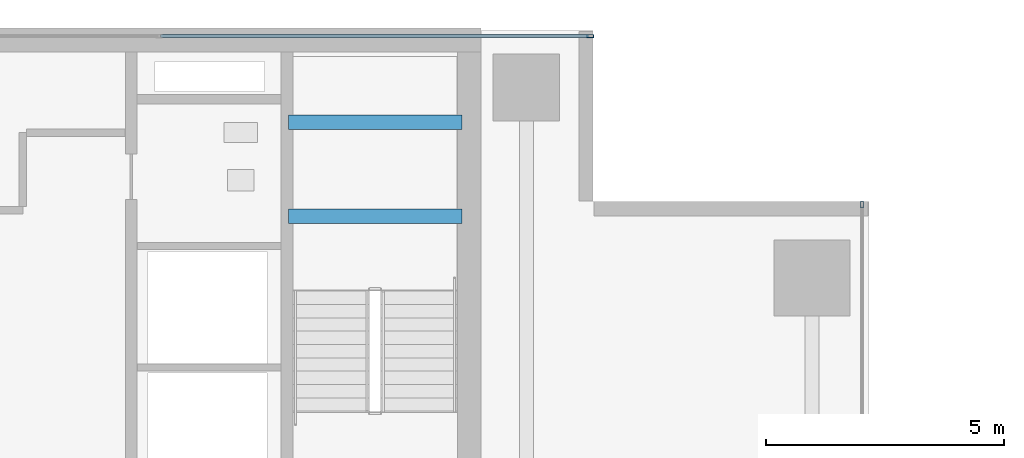
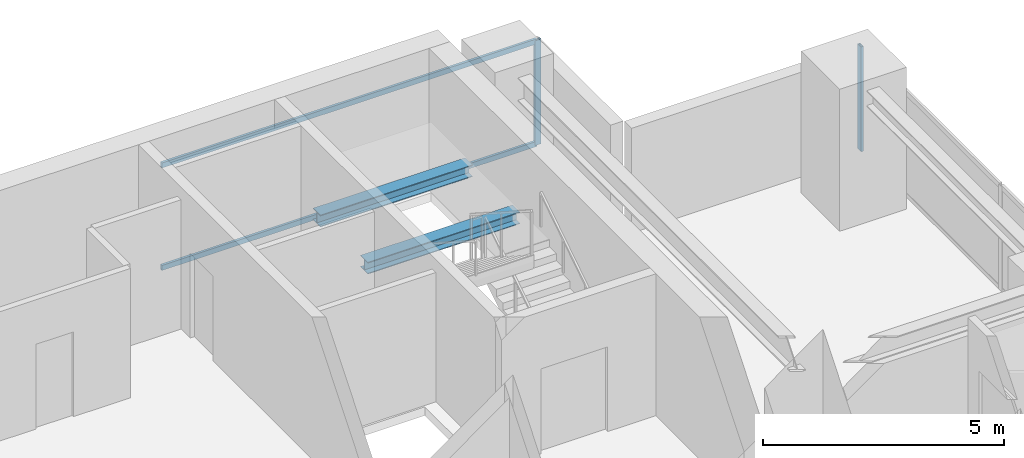
# One storey, part 24 of 32: 4 members, 2 beams, 2 elements without a shape of their own.
"""IFC4 building model written with IfcOpenShell, lengths in metres."""

from ifc_helpers import new_model, si_unit, direction, frame, origin, origin_2d, place, context, subcontext, project, spatial, hollow_rectangle, i_section, extrude, source, transform, mapped, material, layer, layer_set, material_profile, profile_set, type_object, element, aggregate, save


model = new_model("IFC4")

# Units and contexts
model_context = context("Model", 3, precision=1e-05, world=origin(), true_north=direction((0.0, 1.0)))
body_context = subcontext(model_context, "Body", "Model", "MODEL_VIEW")
ifc_project = project(units=[si_unit("LENGTHUNIT", "METRE"), si_unit("AREAUNIT", "SQUARE_METRE"), si_unit("VOLUMEUNIT", "CUBIC_METRE"), si_unit("PLANEANGLEUNIT", "RADIAN"), si_unit("MASSUNIT", "GRAM", prefix="KILO")], contexts=[model_context])

# Site, building, storey
site_placement = place(None, origin())
site = spatial("IfcSite", under=ifc_project, at=site_placement, CompositionType="ELEMENT")
building_placement = place(site_placement, origin())
building = spatial("IfcBuilding", under=site, at=building_placement, Name="Sumidabori Civic Tower", CompositionType="ELEMENT")
storey_placement = place(building_placement, frame((0.0, 0.0, 225.199951171875)))
storey = spatial("IfcBuildingStorey", under=building, at=storey_placement, Name="L58", CompositionType="ELEMENT", Elevation=225.199951171875)

# Beams
ifc_material_1 = material(Name="Steel SN490", Category="steel")
ifc_material_profile_1 = material_profile(ifc_material_1, i_section(OverallWidth=0.300048828125, OverallDepth=0.300048828125, WebThickness=0.010986328125, FlangeThickness=0.01904296875, at=origin_2d()), Name="HE 300 B")
ifc_profile_set_1 = profile_set([ifc_material_profile_1], Name="Steel SN490")
beam_type = type_object("IfcBeamType", Name="BM-LDG-300", PredefinedType="BEAM", material=ifc_profile_set_1)
shared_shape_1 = source(origin(), body_context, "Body", "SweptSolid", [
    extrude(i_section(OverallWidth=0.300048828125, OverallDepth=0.300048828125, WebThickness=0.010986328125, FlangeThickness=0.01904296875, at=origin_2d()), origin(), (0.0, 0.0, 1.0), 3.64990234375),
])
for number, where, z_axis, x_axis, name in (
    (1, (11.800048828125, 20.09765625, 1.449951171875), (1.0, 0.0, 0.0), (0.0, 1.0, 0.0), "Stair ST-2 Landing Support Beam L58-1A"),
    (2, (11.800048828125, 22.069580078125, 1.449951171875), (1.0, 0.0, 0.0), (0.0, 1.0, 0.0), "Stair ST-2 Landing Trimmer Beam L58-1B"),
):
    element("IfcBeam", number, at=place(storey_placement, frame(where, z_axis=z_axis, x_axis=x_axis)), inside=storey, type_object=beam_type, Name=name, PredefinedType="BEAM", context=body_context, shape_type="MappedRepresentation", body=[
        mapped(shared_shape_1, transform((0.0, 0.0, 0.0), x_axis=(1.0, 0.0, 0.0), y_axis=(0.0, 1.0, 0.0), z_axis=(0.0, 0.0, 1.0), scale=1.0)),
    ])

# Curtain wall, members
ifc_material_2 = material(Name="Anodised Bronze Aluminium AW-6063-T6", Category="aluminium")
ifc_layer = layer(ifc_material_2, 0.179931640625, Name="Anodised Bronze Aluminium AW-6063-T6")
ifc_layer_set = layer_set([ifc_layer], Name="Anodised Bronze Aluminium AW-6063-T6")
curtain_wall_type = type_object("IfcCurtainWallType", Name="CW-SYS-5", PredefinedType="NOTDEFINED", material=ifc_layer_set)
curtain_wall_1_placement = place(storey_placement, origin())
curtain_wall_1 = element("IfcCurtainWall", 3, at=curtain_wall_1_placement, inside=storey, type_object=curtain_wall_type, Name="Curtain Wall CW:L58:R14", PredefinedType="NOTDEFINED")
ifc_material_profile_2 = material_profile(ifc_material_2, hollow_rectangle(XDim=0.06005859375, YDim=0.1298828125, WallThickness=0.0048828125, at=origin_2d()), Name="ALU TRANSOM 130x60")
ifc_profile_set_2 = profile_set([ifc_material_profile_2], Name="Anodised Bronze Aluminium AW-6063-T6")
member_type_1 = type_object("IfcMemberType", Name="CW-TRN-130", PredefinedType="USERDEFINED", material=ifc_profile_set_2)
shared_shape_2 = source(origin(), body_context, "Body", "SweptSolid", [
    extrude(hollow_rectangle(XDim=0.06005859375, YDim=0.1298828125, WallThickness=0.0048828125, at=origin_2d()), origin(), (0.0, 0.0, 1.0), 8.9951171875),
])
member_1_placement = place(storey_placement, frame((18.110107421875, 23.8798828125, 0.030029296875), z_axis=(-1.0, 0.0, 0.0), x_axis=(0.0, -1.0, 0.0)))
member_1 = element("IfcMember", 4, at=member_1_placement, type_object=member_type_1, Name="CW-5 transom 1.1", ObjectType="TRANSOM", PredefinedType="USERDEFINED", context=body_context, shape_type="MappedRepresentation", body=[
    mapped(shared_shape_2, transform((0.0, 0.0, 0.0), x_axis=(1.0, 0.0, 0.0), y_axis=(0.0, 1.0, 0.0), z_axis=(0.0, 0.0, 1.0), scale=1.0)),
])
member_2_placement = place(storey_placement, frame((18.110107421875, 23.8798828125, 2.630126953125), z_axis=(-1.0, 0.0, 0.0), x_axis=(0.0, -1.0, 0.0)))
member_2 = element("IfcMember", 5, at=member_2_placement, type_object=member_type_1, Name="CW-5 transom 1.2", ObjectType="TRANSOM", PredefinedType="USERDEFINED", context=body_context, shape_type="MappedRepresentation", body=[
    mapped(shared_shape_2, transform((0.0, 0.0, 0.0), x_axis=(1.0, 0.0, 0.0), y_axis=(0.0, 1.0, 0.0), z_axis=(0.0, 0.0, 1.0), scale=1.0)),
])

# Curtain wall, member
curtain_wall_2_placement = place(storey_placement, origin())
curtain_wall_2 = element("IfcCurtainWall", 6, at=curtain_wall_2_placement, inside=storey, type_object=curtain_wall_type, Name="Curtain Wall CW:L58:R11", PredefinedType="NOTDEFINED")
ifc_material_profile_3 = material_profile(ifc_material_2, hollow_rectangle(XDim=0.06005859375, YDim=0.139892578125, WallThickness=0.0048828125, at=origin_2d()), Name="ALU MULLION 140x60")
ifc_profile_set_3 = profile_set([ifc_material_profile_3], Name="Anodised Bronze Aluminium AW-6063-T6")
member_type_2 = type_object("IfcMemberType", Name="CW-MUL-140", PredefinedType="MULLION", material=ifc_profile_set_3)
shared_shape_3 = source(origin(), body_context, "Body", "SweptSolid", [
    extrude(hollow_rectangle(XDim=0.06005859375, YDim=0.139892578125, WallThickness=0.0048828125, at=origin_2d()), origin(), (0.0, 0.0, 1.0), 2.66015625),
])
member_3_placement = place(storey_placement, frame((23.85009765625, 20.340087890625, 0.0), z_axis=(0.0, 0.0, 1.0), x_axis=(-1.0, 0.0, 0.0)))
member_3 = element("IfcMember", 7, at=member_3_placement, type_object=member_type_2, Name="CW-5 mullion 3", PredefinedType="MULLION", context=body_context, shape_type="MappedRepresentation", body=[
    mapped(shared_shape_3, transform((0.0, 0.0, 0.0), x_axis=(1.0, 0.0, 0.0), y_axis=(0.0, 1.0, 0.0), z_axis=(0.0, 0.0, 1.0), scale=1.0)),
])
aggregate(curtain_wall_2, [member_3])

# Member
member_4_placement = place(storey_placement, frame((18.139892578125, 23.8798828125, 0.0), z_axis=(0.0, 0.0, 1.0), x_axis=(0.0, -1.0, 0.0)))
member_4 = element("IfcMember", 8, at=member_4_placement, type_object=member_type_2, Name="CW-5 mullion 1", PredefinedType="MULLION", context=body_context, shape_type="MappedRepresentation", body=[
    mapped(shared_shape_3, transform((0.0, 0.0, 0.0), x_axis=(1.0, 0.0, 0.0), y_axis=(0.0, 1.0, 0.0), z_axis=(0.0, 0.0, 1.0), scale=1.0)),
])

aggregate(curtain_wall_1, [member_4, member_1, member_2])

save(model, "model.ifc")
